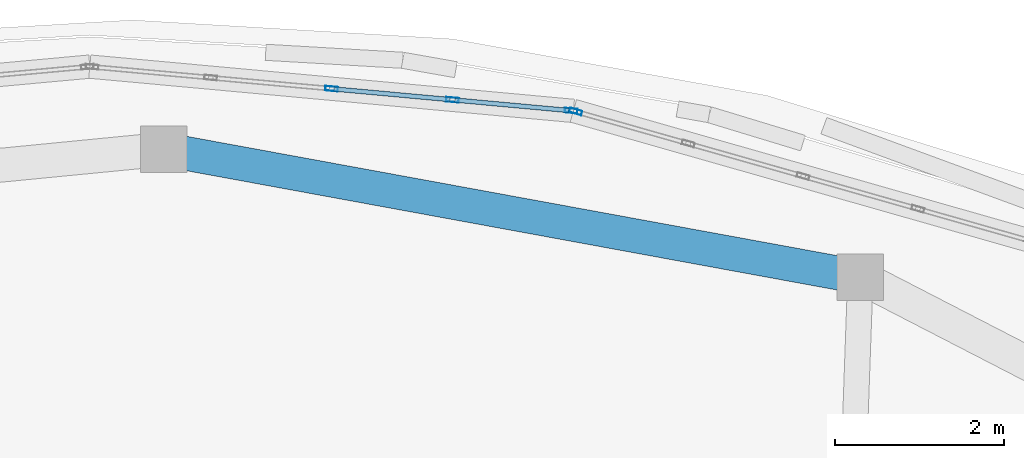
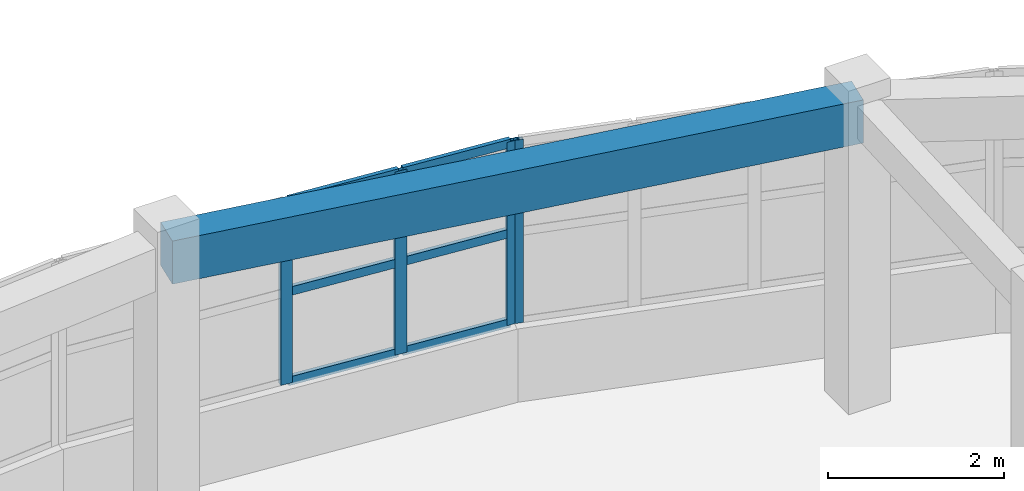
# One storey, part 21 of 46: 10 members, 1 beam, 2 elements without a shape of their own.
"""IFC4 building model written with IfcOpenShell, lengths in metres."""

from ifc_helpers import new_model, si_unit, direction, frame, origin, origin_2d, place, context, subcontext, project, spatial, rectangle, hollow_rectangle, extrude, material, layer, layer_set, material_profile, profile_set, type_object, element, aggregate, save


model = new_model("IFC4")

# Units and contexts
model_context = context("Model", 3, precision=1e-05, world=origin(), true_north=direction((0.0, 1.0)))
body_context = subcontext(model_context, "Body", "Model", "MODEL_VIEW")
ifc_project = project(units=[si_unit("LENGTHUNIT", "METRE"), si_unit("AREAUNIT", "SQUARE_METRE"), si_unit("VOLUMEUNIT", "CUBIC_METRE"), si_unit("PLANEANGLEUNIT", "RADIAN"), si_unit("MASSUNIT", "GRAM", prefix="KILO")], contexts=[model_context])

# Site, building, storey
site_placement = place(None, origin())
site = spatial("IfcSite", under=ifc_project, at=site_placement, CompositionType="ELEMENT")
building_placement = place(site_placement, origin())
building = spatial("IfcBuilding", under=site, at=building_placement, Name="Pelvatis Terrace Science Centre", CompositionType="ELEMENT")
storey_placement = place(building_placement, frame((0.0, 0.0, 19.800048828125)))
storey = spatial("IfcBuildingStorey", under=building, at=storey_placement, Name="L04", CompositionType="ELEMENT", Elevation=19.800048828125)

# Beam
ifc_material_1 = material(Name="Concrete C35/45", Category="concrete")
ifc_material_profile_1 = material_profile(ifc_material_1, rectangle(XDim=0.39990234375, YDim=0.60009765625, at=origin_2d()), Name="RC-BM 400x600")
ifc_profile_set_1 = profile_set([ifc_material_profile_1], Name="Concrete C35/45")
beam_type = type_object("IfcBeamType", Name="BM-RC-400x600", PredefinedType="BEAM", material=ifc_profile_set_1)
beam_placement = place(storey_placement, frame((118.69482421875, 102.9658203125, 3.949951171875), z_axis=(-0.983601549943, 0.180355179991, 0.0), x_axis=(-0.180355179991, -0.983601549943, 0.0)))
element("IfcBeam", 1, at=beam_placement, inside=storey, type_object=beam_type, Name="Beam BM-L04-3081", PredefinedType="BEAM", context=body_context, shape_type="SweptSolid", body=[
    extrude(rectangle(XDim=0.39990234375, YDim=0.60009765625, at=origin_2d()), origin(), (0.0, 0.0, 1.0), 8.3603515625),
])

# Curtain wall, member
ifc_material_2 = material(Name="Bronze-anodised aluminium and laminated glass", Category="aluminium")
ifc_layer = layer(ifc_material_2, 0.14990234375)
ifc_layer_set = layer_set([ifc_layer], Name="Bronze-anodised aluminium and laminated glass")
curtain_wall_type = type_object("IfcCurtainWallType", Name="CW-PASSAGE-C", PredefinedType="NOTDEFINED", material=ifc_layer_set)
curtain_wall_1_placement = place(storey_placement, origin())
curtain_wall_1 = element("IfcCurtainWall", 2, at=curtain_wall_1_placement, inside=storey, type_object=curtain_wall_type, Name="Ribbon curtain wall CW-216 (L04)", PredefinedType="NOTDEFINED")
ifc_material_3 = material(Name="Bronze-anodised aluminium 6063-T6", Category="aluminium")
ifc_material_profile_2 = material_profile(ifc_material_3, hollow_rectangle(XDim=0.054931640625, YDim=0.14990234375, WallThickness=0.00390625, at=origin_2d()), Name="ALU-MUL 55x150")
ifc_profile_set_2 = profile_set([ifc_material_profile_2], Name="Bronze-anodised aluminium 6063-T6")
member_type_1 = type_object("IfcMemberType", Name="CWM-55x150", PredefinedType="MULLION", material=ifc_profile_set_2)
member_1_placement = place(storey_placement, frame((115.334228515625, 104.919677734375, 1.02001953125), z_axis=(0.0, 0.0, 1.0), x_axis=(-0.273577429116, -0.96184998325, 0.0)))
member_1 = element("IfcMember", 3, at=member_1_placement, type_object=member_type_1, Name="CW-216 mullion 5", PredefinedType="MULLION", context=body_context, shape_type="SweptSolid", body=[
    extrude(hollow_rectangle(XDim=0.054931640625, YDim=0.14990234375, WallThickness=0.00390625, at=origin_2d()), origin(), (0.0, 0.0, 1.0), 2.550048828125),
])
aggregate(curtain_wall_1, [member_1])

# Curtain wall, members
curtain_wall_2_placement = place(storey_placement, origin())
curtain_wall_2 = element("IfcCurtainWall", 4, at=curtain_wall_2_placement, inside=storey, type_object=curtain_wall_type, Name="Ribbon curtain wall CW-217 (L04)", PredefinedType="NOTDEFINED")
member_2_placement = place(storey_placement, frame((115.2802734375, 104.9296875, 1.02001953125), z_axis=(0.0, 0.0, 1.0), x_axis=(-0.09121373299, -0.995831338588, 0.0)))
member_2 = element("IfcMember", 5, at=member_2_placement, type_object=member_type_1, Name="CW-217 mullion 1", PredefinedType="MULLION", context=body_context, shape_type="SweptSolid", body=[
    extrude(hollow_rectangle(XDim=0.054931640625, YDim=0.14990234375, WallThickness=0.00390625, at=origin_2d()), origin(), (0.0, 0.0, 1.0), 2.550048828125),
])
member_3_placement = place(storey_placement, frame((113.880859375, 105.057861328125, 1.02001953125), z_axis=(0.0, 0.0, 1.0), x_axis=(-0.09121373299, -0.995831338588, 0.0)))
member_3 = element("IfcMember", 6, at=member_3_placement, type_object=member_type_1, Name="CW-217 mullion 2", PredefinedType="MULLION", context=body_context, shape_type="SweptSolid", body=[
    extrude(hollow_rectangle(XDim=0.054931640625, YDim=0.14990234375, WallThickness=0.00390625, at=origin_2d()), origin(), (0.0, 0.0, 1.0), 2.550048828125),
])
member_4_placement = place(storey_placement, frame((112.453857421875, 105.188720703125, 1.02001953125), z_axis=(0.0, 0.0, 1.0), x_axis=(-0.09121373299, -0.995831338588, 0.0)))
member_4 = element("IfcMember", 7, at=member_4_placement, type_object=member_type_1, Name="CW-217 mullion 3", PredefinedType="MULLION", context=body_context, shape_type="SweptSolid", body=[
    extrude(hollow_rectangle(XDim=0.054931640625, YDim=0.14990234375, WallThickness=0.00390625, at=origin_2d()), origin(), (0.0, 0.0, 1.0), 2.550048828125),
])
ifc_material_4 = material(Name="Bronze-anodised aluminium 6063-T6", Category="aluminium")
ifc_material_profile_3 = material_profile(ifc_material_4, hollow_rectangle(XDim=0.054931640625, YDim=0.1201171875, WallThickness=0.00341796875, at=origin_2d()), Name="ALU-TRN 55x120")
ifc_profile_set_3 = profile_set([ifc_material_profile_3], Name="Bronze-anodised aluminium 6063-T6")
member_type_2 = type_object("IfcMemberType", Name="CWT-55x120", PredefinedType="USERDEFINED", material=ifc_profile_set_3)
member_5_placement = place(storey_placement, frame((115.2529296875, 104.93212890625, 1.04736328125), z_axis=(-0.995823260917, 0.091301878497, 0.0), x_axis=(-0.091301878497, -0.995823260917, 0.0)))
member_5 = element("IfcMember", 8, at=member_5_placement, type_object=member_type_2, Name="CW-217 transom 1.1", ObjectType="TRANSOM", PredefinedType="USERDEFINED", context=body_context, shape_type="SweptSolid", body=[
    extrude(hollow_rectangle(XDim=0.054931640625, YDim=0.1201171875, WallThickness=0.00341796875, at=origin_2d()), origin(), (0.0, 0.0, 1.0), 1.350341796875),
])
member_6_placement = place(storey_placement, frame((115.2529296875, 104.93212890625, 2.294921875), z_axis=(-0.995823260917, 0.091301878497, 0.0), x_axis=(-0.091301878497, -0.995823260917, 0.0)))
member_6 = element("IfcMember", 9, at=member_6_placement, type_object=member_type_2, Name="CW-217 transom 1.2", ObjectType="TRANSOM", PredefinedType="USERDEFINED", context=body_context, shape_type="SweptSolid", body=[
    extrude(hollow_rectangle(XDim=0.054931640625, YDim=0.1201171875, WallThickness=0.00341796875, at=origin_2d()), origin(), (0.0, 0.0, 1.0), 1.350341796875),
])
member_7_placement = place(storey_placement, frame((115.2529296875, 104.93212890625, 3.54248046875), z_axis=(-0.995823260917, 0.091301878497, 0.0), x_axis=(-0.091301878497, -0.995823260917, 0.0)))
member_7 = element("IfcMember", 10, at=member_7_placement, type_object=member_type_2, Name="CW-217 transom 1.3", ObjectType="TRANSOM", PredefinedType="USERDEFINED", context=body_context, shape_type="SweptSolid", body=[
    extrude(hollow_rectangle(XDim=0.054931640625, YDim=0.1201171875, WallThickness=0.00341796875, at=origin_2d()), origin(), (0.0, 0.0, 1.0), 1.350341796875),
])
member_8_placement = place(storey_placement, frame((113.853271484375, 105.060302734375, 1.04736328125), z_axis=(-0.995827588698, 0.091254663377, 0.0), x_axis=(-0.091254663377, -0.995827588698, 0.0)))
member_8 = element("IfcMember", 11, at=member_8_placement, type_object=member_type_2, Name="CW-217 transom 2.1", ObjectType="TRANSOM", PredefinedType="USERDEFINED", context=body_context, shape_type="SweptSolid", body=[
    extrude(hollow_rectangle(XDim=0.054931640625, YDim=0.1201171875, WallThickness=0.00341796875, at=origin_2d()), origin(), (0.0, 0.0, 1.0), 1.3779296875),
])
member_9_placement = place(storey_placement, frame((113.853271484375, 105.060302734375, 2.294921875), z_axis=(-0.995827588698, 0.091254663377, 0.0), x_axis=(-0.091254663377, -0.995827588698, 0.0)))
member_9 = element("IfcMember", 12, at=member_9_placement, type_object=member_type_2, Name="CW-217 transom 2.2", ObjectType="TRANSOM", PredefinedType="USERDEFINED", context=body_context, shape_type="SweptSolid", body=[
    extrude(hollow_rectangle(XDim=0.054931640625, YDim=0.1201171875, WallThickness=0.00341796875, at=origin_2d()), origin(), (0.0, 0.0, 1.0), 1.3779296875),
])
member_10_placement = place(storey_placement, frame((113.853271484375, 105.060302734375, 3.54248046875), z_axis=(-0.995827588698, 0.091254663377, 0.0), x_axis=(-0.091254663377, -0.995827588698, 0.0)))
member_10 = element("IfcMember", 13, at=member_10_placement, type_object=member_type_2, Name="CW-217 transom 2.3", ObjectType="TRANSOM", PredefinedType="USERDEFINED", context=body_context, shape_type="SweptSolid", body=[
    extrude(hollow_rectangle(XDim=0.054931640625, YDim=0.1201171875, WallThickness=0.00341796875, at=origin_2d()), origin(), (0.0, 0.0, 1.0), 1.3779296875),
])
aggregate(curtain_wall_2, [member_2, member_3, member_4, member_5, member_6, member_7, member_8, member_9, member_10])

save(model, "model.ifc")
